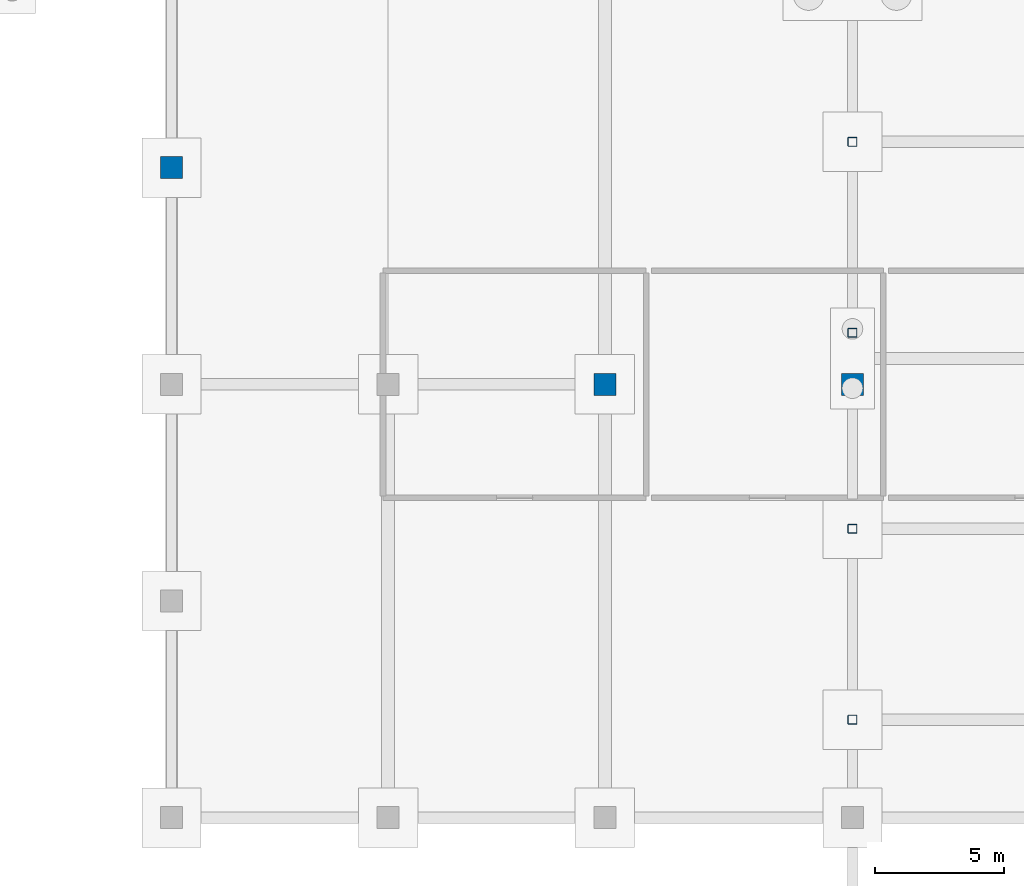
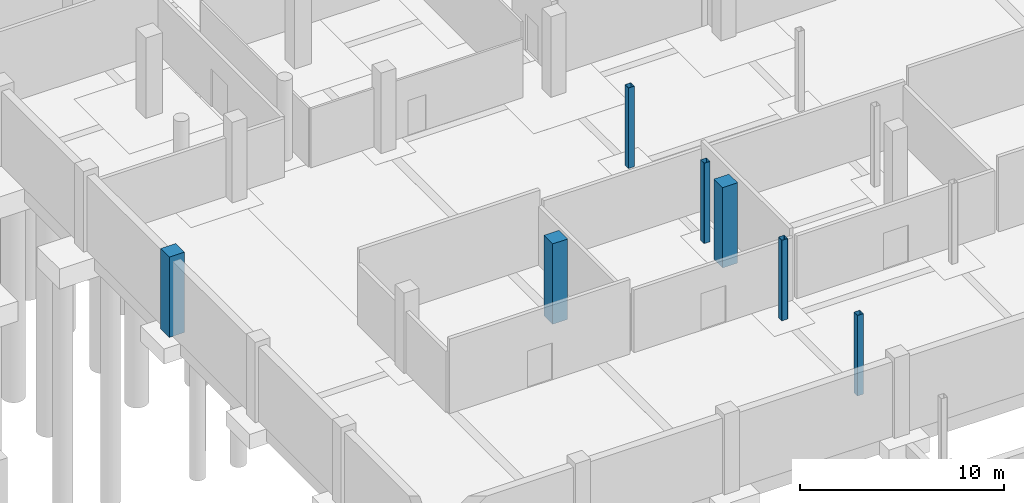
# One storey, part 23 of 44: 7 columns.
"""IFC4 building model written with IfcOpenShell, lengths in metres."""

from ifc_helpers import new_model, si_unit, direction, frame, origin, origin_2d, place, context, subcontext, project, spatial, rectangle, hollow_rectangle, extrude, material, material_profile, profile_set, type_object, element, save


model = new_model("IFC4")

# Units and contexts
model_context = context("Model", 3, precision=1e-05, world=origin(), true_north=direction((0.0, 1.0)))
body_context = subcontext(model_context, "Body", "Model", "MODEL_VIEW")
ifc_project = project(units=[si_unit("LENGTHUNIT", "METRE"), si_unit("AREAUNIT", "SQUARE_METRE"), si_unit("VOLUMEUNIT", "CUBIC_METRE"), si_unit("PLANEANGLEUNIT", "RADIAN"), si_unit("MASSUNIT", "GRAM", prefix="KILO")], contexts=[model_context])

# Site, building, storey
site_placement = place(None, origin())
site = spatial("IfcSite", under=ifc_project, at=site_placement, CompositionType="ELEMENT")
building_placement = place(site_placement, origin())
building = spatial("IfcBuilding", under=site, at=building_placement, Name="Kisaragi Civic Commons", CompositionType="ELEMENT")
storey_placement = place(building_placement, frame((0.0, 0.0, -4.800048828125)))
storey = spatial("IfcBuildingStorey", under=building, at=storey_placement, Name="B1", CompositionType="ELEMENT", Elevation=-4.800048828125)

# Columns
ifc_material_1 = material(Name="Concrete Fc36", Category="concrete")
ifc_material_profile_1 = material_profile(ifc_material_1, rectangle(XDim=0.85009765625, YDim=0.85009765625, at=origin_2d()), Name="RC-850x850", Category="concrete")
ifc_profile_set_1 = profile_set([ifc_material_profile_1], Name="Concrete Fc36")
column_type_1 = type_object("IfcColumnType", Name="C-05", PredefinedType="COLUMN", material=ifc_profile_set_1)
for number, where, z_axis, x_axis, name in (
    (1, (97.199951171875, 87.60009765625, 0.0), (0.0, 0.0, 1.0), (1.0, 0.0, 0.0), "B1 column C-05 (97.2,87.6)"),
    (2, (114.0, 79.199951171875, 0.0), (0.0, 0.0, 1.0), (1.0, 0.0, 0.0), "B1 column C-05 (114.0,79.2)"),
    (3, (123.60009765625, 79.199951171875, 0.0), (0.0, 0.0, 1.0), (1.0, 0.0, 0.0), "B1 column C-05 (123.6,79.2)"),
):
    element("IfcColumn", number, at=place(storey_placement, frame(where, z_axis=z_axis, x_axis=x_axis)), inside=storey, type_object=column_type_1, Name=name, PredefinedType="COLUMN", context=body_context, shape_type="SweptSolid", body=[
        extrude(rectangle(XDim=0.85009765625, YDim=0.85009765625, at=origin_2d()), origin(), (0.0, 0.0, 1.0), 4.800048828125),
    ])
ifc_material_2 = material(Name="Steel BCR295", Category="steel")
ifc_material_profile_2 = material_profile(ifc_material_2, hollow_rectangle(XDim=0.35009765625, YDim=0.35009765625, WallThickness=0.011962890625, InnerFilletRadius=0.011962890625, OuterFilletRadius=0.02392578125, at=origin_2d()), Name="BCR-350x350x12", Category="steel")
ifc_profile_set_2 = profile_set([ifc_material_profile_2], Name="Steel BCR295")
column_type_2 = type_object("IfcColumnType", Name="C-13", PredefinedType="COLUMN", material=ifc_profile_set_2)
for number, where, z_axis, x_axis, name in (
    (4, (123.60009765625, 66.199951171875, 0.0), (0.0, 0.0, 1.0), (1.0, 0.0, 0.0), "B1 column C-13 (123.6,66.2)"),
    (5, (123.60009765625, 73.60009765625, 0.0), (0.0, 0.0, 1.0), (1.0, 0.0, 0.0), "B1 column C-13 (123.6,73.6)"),
    (6, (123.60009765625, 81.199951171875, 0.0), (0.0, 0.0, 1.0), (1.0, 0.0, 0.0), "B1 column C-13 (123.6,81.2)"),
    (7, (123.60009765625, 88.60009765625, 0.0), (0.0, 0.0, 1.0), (1.0, 0.0, 0.0), "B1 column C-13 (123.6,88.6)"),
):
    element("IfcColumn", number, at=place(storey_placement, frame(where, z_axis=z_axis, x_axis=x_axis)), inside=storey, type_object=column_type_2, Name=name, PredefinedType="COLUMN", context=body_context, shape_type="SweptSolid", body=[
        extrude(hollow_rectangle(XDim=0.35009765625, YDim=0.35009765625, WallThickness=0.011962890625, InnerFilletRadius=0.011962890625, OuterFilletRadius=0.02392578125, at=origin_2d()), origin(), (0.0, 0.0, 1.0), 4.800048828125),
    ])

save(model, "model.ifc")
